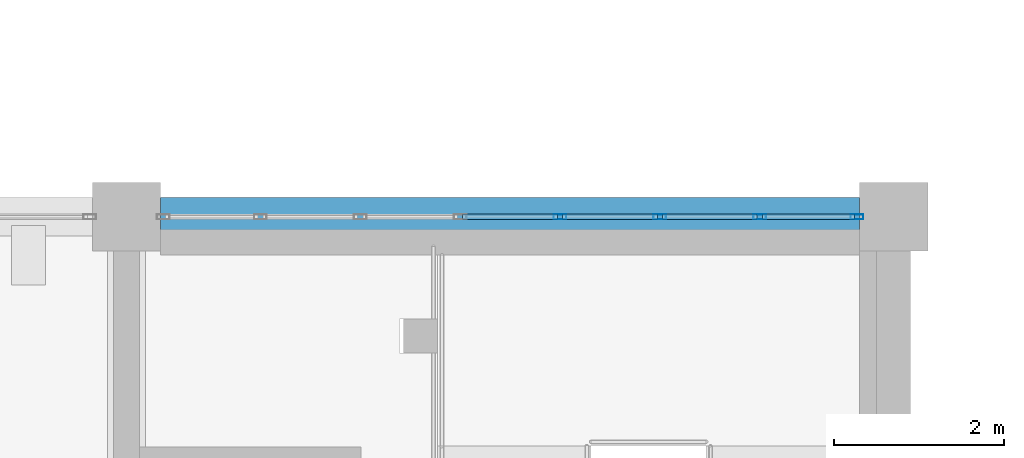
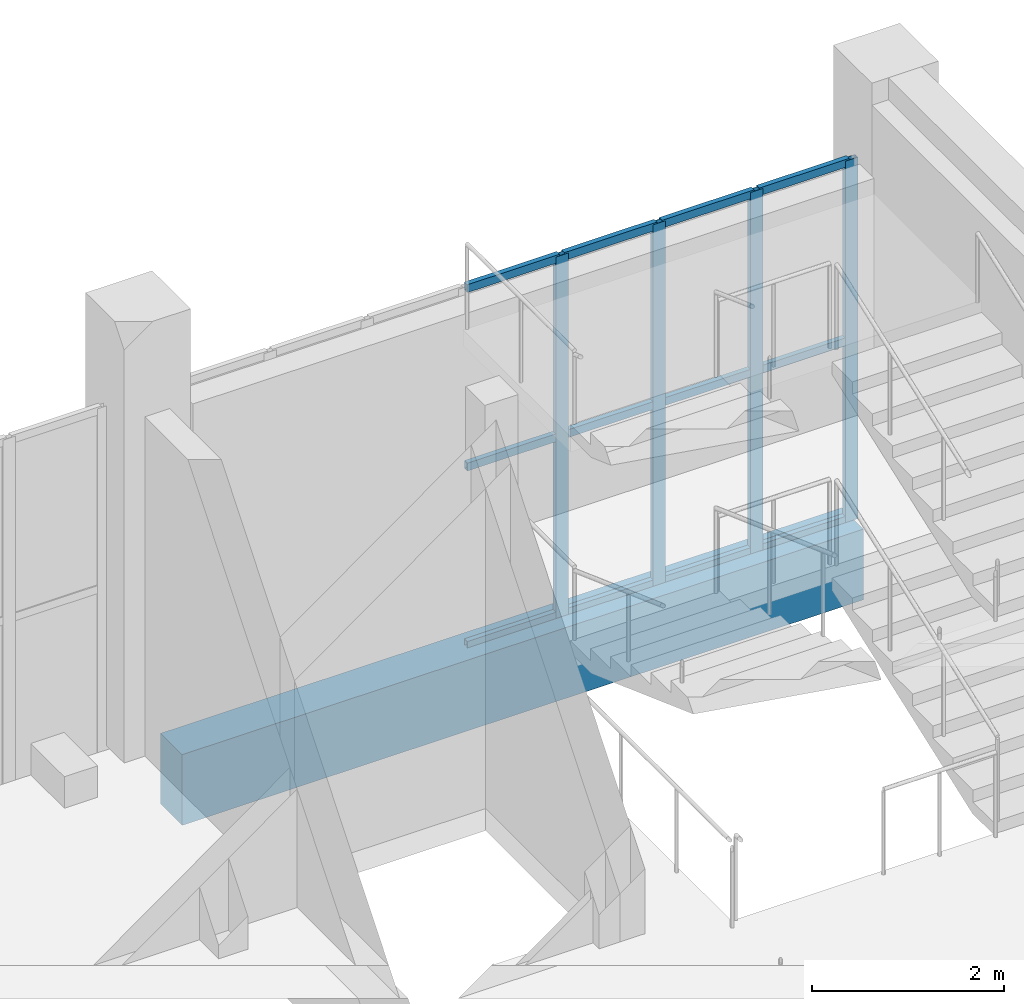
# One storey, part 40 of 185: 16 members, 1 beam, 1 element without a shape of its own.
"""IFC4 building model written with IfcOpenShell, lengths in metres."""

from ifc_helpers import new_model, si_unit, direction, frame, origin, origin_2d, place, context, subcontext, project, spatial, rectangle, hollow_rectangle, extrude, material, layer, layer_set, material_profile, profile_set, type_object, element, aggregate, save


model = new_model("IFC4")

# Units and contexts
model_context = context("Model", 3, precision=1e-05, world=origin(), true_north=direction((0.0, 1.0)))
body_context = subcontext(model_context, "Body", "Model", "MODEL_VIEW")
ifc_project = project(units=[si_unit("LENGTHUNIT", "METRE"), si_unit("AREAUNIT", "SQUARE_METRE"), si_unit("VOLUMEUNIT", "CUBIC_METRE"), si_unit("PLANEANGLEUNIT", "RADIAN"), si_unit("MASSUNIT", "GRAM", prefix="KILO")], contexts=[model_context])

# Site, building, storey
site_placement = place(None, origin())
site = spatial("IfcSite", under=ifc_project, at=site_placement, CompositionType="ELEMENT")
building_placement = place(site_placement, origin())
building = spatial("IfcBuilding", under=site, at=building_placement, Name="Opaline Strait Convention Centre", CompositionType="ELEMENT")
storey_placement = place(building_placement, frame((0.0, 0.0, 6.0)))
storey = spatial("IfcBuildingStorey", under=building, at=storey_placement, Name="L01", CompositionType="ELEMENT", Elevation=6.0)

# Curtain wall, members
ifc_material_1 = material(Name="Aluminium framed double glazing", Category="aluminium")
ifc_layer = layer(ifc_material_1, 0.199951171875)
ifc_layer_set = layer_set([ifc_layer], Name="Aluminium framed double glazing")
curtain_wall_type = type_object("IfcCurtainWallType", Name="Curtain wall 1250", PredefinedType="NOTDEFINED", material=ifc_layer_set)
curtain_wall_placement = place(storey_placement, origin())
curtain_wall = element("IfcCurtainWall", 1, at=curtain_wall_placement, inside=storey, type_object=curtain_wall_type, Name="Curtain wall N-63-L01", PredefinedType="NOTDEFINED")
ifc_material_2 = material(Name="Aluminium alloy 6063", Category="aluminium")
ifc_material_profile_1 = material_profile(ifc_material_2, hollow_rectangle(XDim=0.06005859375, YDim=0.14990234375, WallThickness=0.00390625, at=origin_2d()), Name="MULLION 60x150x4")
ifc_profile_set_1 = profile_set([ifc_material_profile_1], Name="Aluminium alloy 6063")
member_type_1 = type_object("IfcMemberType", Name="Curtain wall mullion 60 x 150", PredefinedType="MULLION", material=ifc_profile_set_1)
member_1_placement = place(storey_placement, frame((68.085693359375, 180.0, -0.280029296875), z_axis=(0.0, 0.0, 1.0), x_axis=(0.0, 1.0, 0.0)))
member_1 = element("IfcMember", 2, at=member_1_placement, type_object=member_type_1, Name="PCW mullion 5", PredefinedType="MULLION", context=body_context, shape_type="SweptSolid", body=[
    extrude(hollow_rectangle(XDim=0.06005859375, YDim=0.14990234375, WallThickness=0.00390625, at=origin_2d()), origin(), (0.0, 0.0, 1.0), 4.60009765625),
])
member_2_placement = place(storey_placement, frame((69.257080078125, 180.0, -0.280029296875), z_axis=(0.0, 0.0, 1.0), x_axis=(0.0, 1.0, 0.0)))
member_2 = element("IfcMember", 3, at=member_2_placement, type_object=member_type_1, Name="PCW mullion 6", PredefinedType="MULLION", context=body_context, shape_type="SweptSolid", body=[
    extrude(hollow_rectangle(XDim=0.06005859375, YDim=0.14990234375, WallThickness=0.00390625, at=origin_2d()), origin(), (0.0, 0.0, 1.0), 4.60009765625),
])
member_3_placement = place(storey_placement, frame((70.4287109375, 180.0, -0.280029296875), z_axis=(0.0, 0.0, 1.0), x_axis=(0.0, 1.0, 0.0)))
member_3 = element("IfcMember", 4, at=member_3_placement, type_object=member_type_1, Name="PCW mullion 7", PredefinedType="MULLION", context=body_context, shape_type="SweptSolid", body=[
    extrude(hollow_rectangle(XDim=0.06005859375, YDim=0.14990234375, WallThickness=0.00390625, at=origin_2d()), origin(), (0.0, 0.0, 1.0), 4.60009765625),
])
member_4_placement = place(storey_placement, frame((71.570068359375, 180.0, -0.280029296875), z_axis=(0.0, 0.0, 1.0), x_axis=(0.0, 1.0, 0.0)))
member_4 = element("IfcMember", 5, at=member_4_placement, type_object=member_type_1, Name="PCW mullion 8", PredefinedType="MULLION", context=body_context, shape_type="SweptSolid", body=[
    extrude(hollow_rectangle(XDim=0.06005859375, YDim=0.14990234375, WallThickness=0.00390625, at=origin_2d()), origin(), (0.0, 0.0, 1.0), 4.60009765625),
])
ifc_material_profile_2 = material_profile(ifc_material_2, hollow_rectangle(XDim=0.06005859375, YDim=0.10009765625, WallThickness=0.0029296875, at=origin_2d()), Name="TRANSOM 60x100x3")
ifc_profile_set_2 = profile_set([ifc_material_profile_2], Name="Aluminium alloy 6063")
member_type_2 = type_object("IfcMemberType", Name="Curtain wall transom 60 x 100", PredefinedType="USERDEFINED", material=ifc_profile_set_2)
member_5_placement = place(storey_placement, frame((66.9443359375, 180.0, -0.25), z_axis=(1.0, 0.0, 0.0), x_axis=(0.0, 1.0, 0.0)))
member_5 = element("IfcMember", 6, at=member_5_placement, type_object=member_type_2, Name="PCW transom 4.1", ObjectType="TRANSOM", PredefinedType="USERDEFINED", context=body_context, shape_type="SweptSolid", body=[
    extrude(hollow_rectangle(XDim=0.06005859375, YDim=0.10009765625, WallThickness=0.0029296875, at=origin_2d()), origin(), (0.0, 0.0, 1.0), 1.111328125),
])
member_6_placement = place(storey_placement, frame((66.9443359375, 180.0, 2.02001953125), z_axis=(1.0, 0.0, 0.0), x_axis=(0.0, 1.0, 0.0)))
member_6 = element("IfcMember", 7, at=member_6_placement, type_object=member_type_2, Name="PCW transom 4.2", ObjectType="TRANSOM", PredefinedType="USERDEFINED", context=body_context, shape_type="SweptSolid", body=[
    extrude(hollow_rectangle(XDim=0.06005859375, YDim=0.10009765625, WallThickness=0.0029296875, at=origin_2d()), origin(), (0.0, 0.0, 1.0), 1.111328125),
])
member_7_placement = place(storey_placement, frame((66.9443359375, 180.0, 4.2900390625), z_axis=(1.0, 0.0, 0.0), x_axis=(0.0, 1.0, 0.0)))
member_7 = element("IfcMember", 8, at=member_7_placement, type_object=member_type_2, Name="PCW transom 4.3", ObjectType="TRANSOM", PredefinedType="USERDEFINED", context=body_context, shape_type="SweptSolid", body=[
    extrude(hollow_rectangle(XDim=0.06005859375, YDim=0.10009765625, WallThickness=0.0029296875, at=origin_2d()), origin(), (0.0, 0.0, 1.0), 1.111328125),
])
member_8_placement = place(storey_placement, frame((68.11572265625, 180.0, -0.25), z_axis=(1.0, 0.0, 0.0), x_axis=(0.0, 1.0, 0.0)))
member_8 = element("IfcMember", 9, at=member_8_placement, type_object=member_type_2, Name="PCW transom 5.1", ObjectType="TRANSOM", PredefinedType="USERDEFINED", context=body_context, shape_type="SweptSolid", body=[
    extrude(hollow_rectangle(XDim=0.06005859375, YDim=0.10009765625, WallThickness=0.0029296875, at=origin_2d()), origin(), (0.0, 0.0, 1.0), 1.111572265625),
])
member_9_placement = place(storey_placement, frame((68.11572265625, 180.0, 2.02001953125), z_axis=(1.0, 0.0, 0.0), x_axis=(0.0, 1.0, 0.0)))
member_9 = element("IfcMember", 10, at=member_9_placement, type_object=member_type_2, Name="PCW transom 5.2", ObjectType="TRANSOM", PredefinedType="USERDEFINED", context=body_context, shape_type="SweptSolid", body=[
    extrude(hollow_rectangle(XDim=0.06005859375, YDim=0.10009765625, WallThickness=0.0029296875, at=origin_2d()), origin(), (0.0, 0.0, 1.0), 1.111572265625),
])
member_10_placement = place(storey_placement, frame((68.11572265625, 180.0, 4.2900390625), z_axis=(1.0, 0.0, 0.0), x_axis=(0.0, 1.0, 0.0)))
member_10 = element("IfcMember", 11, at=member_10_placement, type_object=member_type_2, Name="PCW transom 5.3", ObjectType="TRANSOM", PredefinedType="USERDEFINED", context=body_context, shape_type="SweptSolid", body=[
    extrude(hollow_rectangle(XDim=0.06005859375, YDim=0.10009765625, WallThickness=0.0029296875, at=origin_2d()), origin(), (0.0, 0.0, 1.0), 1.111572265625),
])
member_11_placement = place(storey_placement, frame((69.287109375, 180.0, -0.25), z_axis=(1.0, 0.0, 0.0), x_axis=(0.0, 1.0, 0.0)))
member_11 = element("IfcMember", 12, at=member_11_placement, type_object=member_type_2, Name="PCW transom 6.1", ObjectType="TRANSOM", PredefinedType="USERDEFINED", context=body_context, shape_type="SweptSolid", body=[
    extrude(hollow_rectangle(XDim=0.06005859375, YDim=0.10009765625, WallThickness=0.0029296875, at=origin_2d()), origin(), (0.0, 0.0, 1.0), 1.111572265625),
])
member_12_placement = place(storey_placement, frame((69.287109375, 180.0, 2.02001953125), z_axis=(1.0, 0.0, 0.0), x_axis=(0.0, 1.0, 0.0)))
member_12 = element("IfcMember", 13, at=member_12_placement, type_object=member_type_2, Name="PCW transom 6.2", ObjectType="TRANSOM", PredefinedType="USERDEFINED", context=body_context, shape_type="SweptSolid", body=[
    extrude(hollow_rectangle(XDim=0.06005859375, YDim=0.10009765625, WallThickness=0.0029296875, at=origin_2d()), origin(), (0.0, 0.0, 1.0), 1.111572265625),
])
member_13_placement = place(storey_placement, frame((69.287109375, 180.0, 4.2900390625), z_axis=(1.0, 0.0, 0.0), x_axis=(0.0, 1.0, 0.0)))
member_13 = element("IfcMember", 14, at=member_13_placement, type_object=member_type_2, Name="PCW transom 6.3", ObjectType="TRANSOM", PredefinedType="USERDEFINED", context=body_context, shape_type="SweptSolid", body=[
    extrude(hollow_rectangle(XDim=0.06005859375, YDim=0.10009765625, WallThickness=0.0029296875, at=origin_2d()), origin(), (0.0, 0.0, 1.0), 1.111572265625),
])
member_14_placement = place(storey_placement, frame((70.458740234375, 180.0, -0.25), z_axis=(1.0, 0.0, 0.0), x_axis=(0.0, 1.0, 0.0)))
member_14 = element("IfcMember", 15, at=member_14_placement, type_object=member_type_2, Name="PCW transom 7.1", ObjectType="TRANSOM", PredefinedType="USERDEFINED", context=body_context, shape_type="SweptSolid", body=[
    extrude(hollow_rectangle(XDim=0.06005859375, YDim=0.10009765625, WallThickness=0.0029296875, at=origin_2d()), origin(), (0.0, 0.0, 1.0), 1.081298828125),
])
member_15_placement = place(storey_placement, frame((70.458740234375, 180.0, 2.02001953125), z_axis=(1.0, 0.0, 0.0), x_axis=(0.0, 1.0, 0.0)))
member_15 = element("IfcMember", 16, at=member_15_placement, type_object=member_type_2, Name="PCW transom 7.2", ObjectType="TRANSOM", PredefinedType="USERDEFINED", context=body_context, shape_type="SweptSolid", body=[
    extrude(hollow_rectangle(XDim=0.06005859375, YDim=0.10009765625, WallThickness=0.0029296875, at=origin_2d()), origin(), (0.0, 0.0, 1.0), 1.081298828125),
])
member_16_placement = place(storey_placement, frame((70.458740234375, 180.0, 4.2900390625), z_axis=(1.0, 0.0, 0.0), x_axis=(0.0, 1.0, 0.0)))
member_16 = element("IfcMember", 17, at=member_16_placement, type_object=member_type_2, Name="PCW transom 7.3", ObjectType="TRANSOM", PredefinedType="USERDEFINED", context=body_context, shape_type="SweptSolid", body=[
    extrude(hollow_rectangle(XDim=0.06005859375, YDim=0.10009765625, WallThickness=0.0029296875, at=origin_2d()), origin(), (0.0, 0.0, 1.0), 1.081298828125),
])
aggregate(curtain_wall, [member_1, member_2, member_3, member_4, member_5, member_6, member_7, member_8, member_9, member_10, member_11, member_12, member_13, member_14, member_15, member_16])

# Beam
ifc_material_3 = material(Name="Concrete C35", Category="concrete")
ifc_material_profile_3 = material_profile(ifc_material_3, rectangle(XDim=0.449951171875, YDim=0.89990234375, at=origin_2d()), Name="RC 450x900")
ifc_profile_set_3 = profile_set([ifc_material_profile_3], Name="Concrete C35")
beam_type = type_object("IfcBeamType", Name="RC floor beam 450x900 C35", PredefinedType="BEAM", material=ifc_profile_set_3)
beam_placement = place(storey_placement, frame((63.39990234375, 180.0, -0.72998046875), z_axis=(1.0, 0.0, 0.0), x_axis=(0.0, 1.0, 0.0)))
element("IfcBeam", 18, at=beam_placement, inside=storey, type_object=beam_type, Name="PFB1 L01 beam 8/W-9/W", PredefinedType="BEAM", context=body_context, shape_type="SweptSolid", body=[
    extrude(rectangle(XDim=0.449951171875, YDim=0.89990234375, at=origin_2d()), origin(), (0.0, 0.0, 1.0), 8.2001953125),
])

save(model, "model.ifc")
